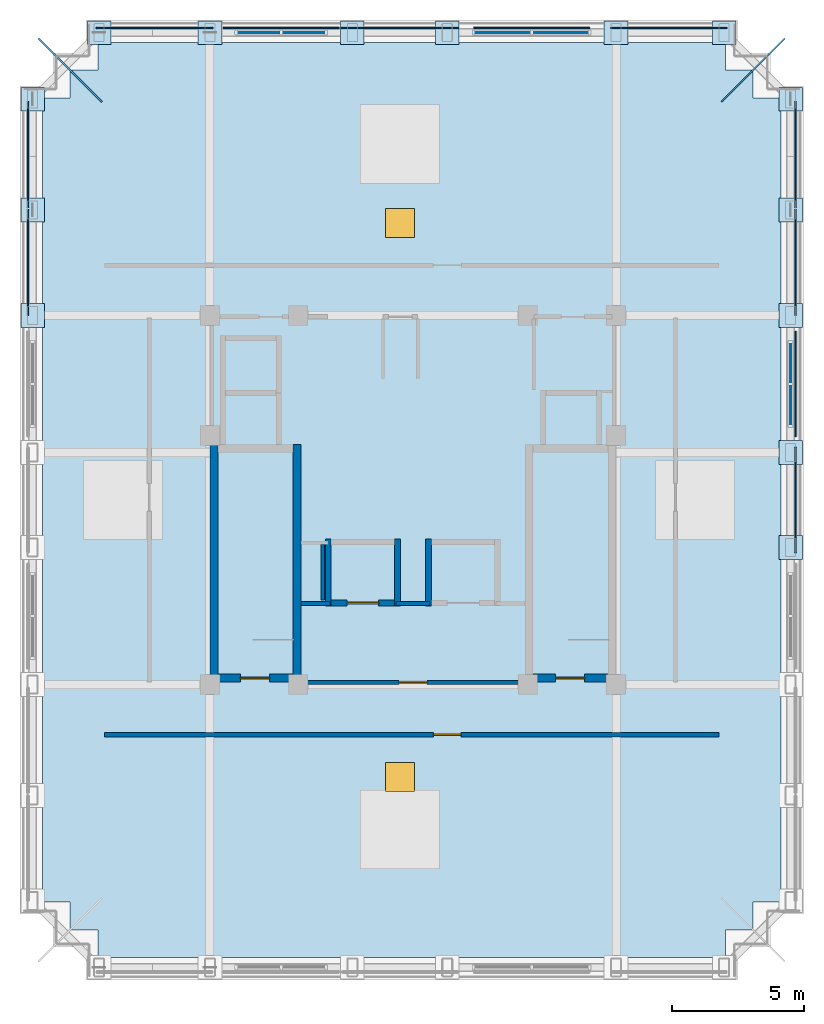
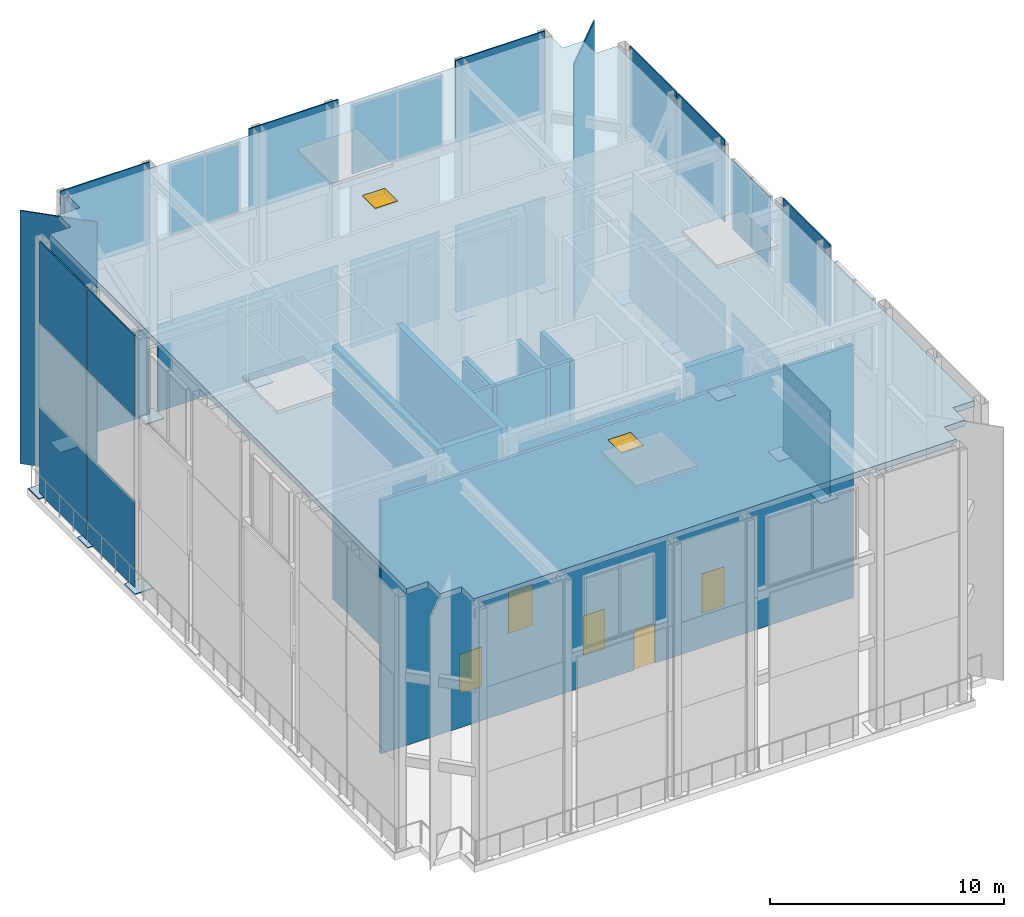
# One storey, part 4 of 7: 41 plates, 13 walls, 7 doors, 1 slab, 7 openings, 3 elements without a shape of their own.
"""IFC4 building model written with IfcOpenShell, lengths in metres."""

from ifc_helpers import new_model, si_unit, derived_unit, direction, frame, frame_2d, origin, origin_2d, place, context, subcontext, project, spatial, polyline, rectangle, outline, extrude, material, layer, layer_set, type_object, element, fill, aggregate, save


model = new_model("IFC4")

# Units and contexts
model_context = context("Model", 3, precision=1e-05, world=origin(), true_north=direction((0.0, 1.0)))
body_context = subcontext(model_context, "Body", "Model", "MODEL_VIEW")
ifc_project = project(units=[si_unit("LENGTHUNIT", "METRE"), si_unit("AREAUNIT", "SQUARE_METRE"), si_unit("VOLUMEUNIT", "CUBIC_METRE"), si_unit("PLANEANGLEUNIT", "RADIAN"), si_unit("MASSUNIT", "GRAM", prefix="KILO"), derived_unit("THERMALTRANSMITTANCEUNIT", [(si_unit("MASSUNIT", "GRAM", prefix="KILO"), 1), (si_unit("TIMEUNIT", "SECOND"), -3), (si_unit("THERMODYNAMICTEMPERATUREUNIT", "KELVIN"), -1)])], contexts=[model_context])

# Site, building, storey
site_placement = place(None, origin())
site = spatial("IfcSite", under=ifc_project, at=site_placement, CompositionType="ELEMENT")
building_placement = place(site_placement, origin())
building = spatial("IfcBuilding", under=site, at=building_placement, Name="Korrvale Station Residences", CompositionType="ELEMENT")
storey_placement = place(building_placement, frame((0.0, 0.0, 261.5)))
storey = spatial("IfcBuildingStorey", under=building, at=storey_placement, Name="L76 Crown", CompositionType="ELEMENT", Elevation=261.5)

# Curtain wall, plates
ifc_material_1 = material(Name="Unitised thermally broken aluminium curtain wall with triple low-e IGU", Category="aluminium")
curtain_wall_type = type_object("IfcCurtainWallType", Name="CW-CRN-RNG", PredefinedType="NOTDEFINED", material=ifc_material_1)
curtain_wall_1_placement = place(storey_placement, origin())
curtain_wall_1 = element("IfcCurtainWall", 1, at=curtain_wall_1_placement, inside=storey, type_object=curtain_wall_type, Name="L76 Crown Curtain Wall CW6-RUN-3", PredefinedType="NOTDEFINED")
ifc_material_2 = material(Name="Triple-glazed low-e argon insulated glass unit", Category="glass")
ifc_layer_1 = layer(ifc_material_2, 0.035888671875, Name="Triple-glazed low-e argon insulated glass unit")
ifc_layer_set_1 = layer_set([ifc_layer_1], Name="Triple-glazed low-e argon insulated glass unit")
plate_type_1 = type_object("IfcPlateType", Name="CW-CRN-RNG-P", PredefinedType="CURTAIN_PANEL", material=ifc_layer_set_1)
plate_1_placement = place(storey_placement, frame((19.625, 39.719970703125, 9.1552734375), z_axis=(0.0, 0.0, 1.0), x_axis=(1.0, 0.0, 0.0)))
plate_1 = element("IfcPlate", 2, at=plate_1_placement, type_object=plate_type_1, Name="CW-CRN-RNG Glazing Panel 1-1", PredefinedType="CURTAIN_PANEL", context=body_context, shape_type="SweptSolid", body=[
    extrude(rectangle(XDim=1.679931640625, YDim=0.035888671875, at=origin_2d()), origin(), (0.0, 0.0, 1.0), 3.639892578125),
])
plate_2_placement = place(storey_placement, frame((21.375, 39.719970703125, 9.1552734375), z_axis=(0.0, 0.0, 1.0), x_axis=(1.0, 0.0, 0.0)))
plate_2 = element("IfcPlate", 3, at=plate_2_placement, type_object=plate_type_1, Name="CW-CRN-RNG Glazing Panel 2-1", PredefinedType="CURTAIN_PANEL", context=body_context, shape_type="SweptSolid", body=[
    extrude(rectangle(XDim=1.679931640625, YDim=0.035888671875, at=origin_2d()), origin(), (0.0, 0.0, 1.0), 3.639892578125),
])
aggregate(curtain_wall_1, [plate_1, plate_2])

curtain_wall_2_placement = place(storey_placement, origin())
curtain_wall_2 = element("IfcCurtainWall", 4, at=curtain_wall_2_placement, inside=storey, type_object=curtain_wall_type, Name="L76 Crown Curtain Wall CW6-RUN-4", PredefinedType="NOTDEFINED")
plate_3_placement = place(storey_placement, frame((28.875, 39.719970703125, 9.1552734375), z_axis=(0.0, 0.0, 1.0), x_axis=(1.0, 0.0, 0.0)))
plate_3 = element("IfcPlate", 5, at=plate_3_placement, type_object=plate_type_1, Name="CW-CRN-RNG Glazing Panel 1-1", PredefinedType="CURTAIN_PANEL", context=body_context, shape_type="SweptSolid", body=[
    extrude(rectangle(XDim=2.179931640625, YDim=0.035888671875, at=origin_2d()), origin(), (0.0, 0.0, 1.0), 3.639892578125),
])
plate_4_placement = place(storey_placement, frame((31.125, 39.719970703125, 9.1552734375), z_axis=(0.0, 0.0, 1.0), x_axis=(1.0, 0.0, 0.0)))
plate_4 = element("IfcPlate", 6, at=plate_4_placement, type_object=plate_type_1, Name="CW-CRN-RNG Glazing Panel 2-1", PredefinedType="CURTAIN_PANEL", context=body_context, shape_type="SweptSolid", body=[
    extrude(rectangle(XDim=2.179931640625, YDim=0.035888671875, at=origin_2d()), origin(), (0.0, 0.0, 1.0), 3.639892578125),
])
aggregate(curtain_wall_2, [plate_3, plate_4])

curtain_wall_3_placement = place(storey_placement, origin())
curtain_wall_3 = element("IfcCurtainWall", 7, at=curtain_wall_3_placement, inside=storey, type_object=curtain_wall_type, Name="L76 Crown Curtain Wall CW6-RUN-8", PredefinedType="NOTDEFINED")
plate_5_placement = place(storey_placement, frame((39.820068359375, 25.574951171875, 9.1552734375), z_axis=(0.0, 0.0, 1.0), x_axis=(0.0, 1.0, 0.0)))
plate_5 = element("IfcPlate", 8, at=plate_5_placement, type_object=plate_type_1, Name="CW-CRN-RNG Glazing Panel 1-1", PredefinedType="CURTAIN_PANEL", context=body_context, shape_type="SweptSolid", body=[
    extrude(rectangle(XDim=1.580078125, YDim=0.035888671875, at=origin_2d()), origin(), (0.0, 0.0, 1.0), 3.639892578125),
])
plate_6_placement = place(storey_placement, frame((39.820068359375, 27.22509765625, 9.1552734375), z_axis=(0.0, 0.0, 1.0), x_axis=(0.0, 1.0, 0.0)))
plate_6 = element("IfcPlate", 9, at=plate_6_placement, type_object=plate_type_1, Name="CW-CRN-RNG Glazing Panel 2-1", PredefinedType="CURTAIN_PANEL", context=body_context, shape_type="SweptSolid", body=[
    extrude(rectangle(XDim=1.580078125, YDim=0.035888671875, at=origin_2d()), origin(), (0.0, 0.0, 1.0), 3.639892578125),
])
aggregate(curtain_wall_3, [plate_5, plate_6])

# Plates
ifc_material_3 = material(Name="Steel S355", Category="steel")
ifc_layer_2 = layer(ifc_material_3, 0.034912109375, Name="Steel S355")
ifc_layer_set_2 = layer_set([ifc_layer_2], Name="Steel S355")
plate_type_2 = type_object("IfcPlateType", Name="PLT-BASE-35", PredefinedType="SHEET", material=ifc_layer_set_2)
for number, where, z_axis, x_axis, name in (
    (10, (13.60009765625, 39.719970703125, 0.0), (0.0, 0.0, 1.0), (1.0, 0.0, 0.0), "Crown Frame Post Base Plate 07"),
    (11, (17.800048828125, 39.719970703125, 0.0), (0.0, 0.0, 1.0), (1.0, 0.0, 0.0), "Crown Frame Post Base Plate 08"),
    (12, (23.199951171875, 39.719970703125, 0.0), (0.0, 0.0, 1.0), (1.0, 0.0, 0.0), "Crown Frame Post Base Plate 09"),
    (13, (26.800048828125, 39.719970703125, 0.0), (0.0, 0.0, 1.0), (1.0, 0.0, 0.0), "Crown Frame Post Base Plate 10"),
    (14, (33.199951171875, 39.719970703125, 0.0), (0.0, 0.0, 1.0), (1.0, 0.0, 0.0), "Crown Frame Post Base Plate 11"),
    (15, (37.300048828125, 39.719970703125, 0.0), (0.0, 0.0, 1.0), (1.0, 0.0, 0.0), "Crown Frame Post Base Plate 12"),
    (16, (11.080078125, 29.0, 0.0), (0.0, 0.0, 1.0), (1.0, 0.0, 0.0), "Crown Frame Post Base Plate 18"),
    (17, (11.080078125, 33.0, 0.0), (0.0, 0.0, 1.0), (1.0, 0.0, 0.0), "Crown Frame Post Base Plate 19"),
    (18, (11.080078125, 37.199951171875, 0.0), (0.0, 0.0, 1.0), (1.0, 0.0, 0.0), "Crown Frame Post Base Plate 20"),
    (19, (39.820068359375, 20.199951171875, 0.0), (0.0, 0.0, 1.0), (1.0, 0.0, 0.0), "Crown Frame Post Base Plate 24"),
    (20, (39.820068359375, 23.800048828125, 0.0), (0.0, 0.0, 1.0), (1.0, 0.0, 0.0), "Crown Frame Post Base Plate 25"),
    (21, (39.820068359375, 29.0, 0.0), (0.0, 0.0, 1.0), (1.0, 0.0, 0.0), "Crown Frame Post Base Plate 26"),
    (22, (39.820068359375, 33.0, 0.0), (0.0, 0.0, 1.0), (1.0, 0.0, 0.0), "Crown Frame Post Base Plate 27"),
    (23, (39.820068359375, 37.199951171875, 0.0), (0.0, 0.0, 1.0), (1.0, 0.0, 0.0), "Crown Frame Post Base Plate 28"),
):
    element("IfcPlate", number, at=place(storey_placement, frame(where, z_axis=z_axis, x_axis=x_axis)), inside=storey, type_object=plate_type_2, Name=name, PredefinedType="SHEET", context=body_context, shape_type="SweptSolid", body=[
        extrude(rectangle(XDim=0.89990234375, YDim=0.89990234375, at=origin_2d()), origin(), (0.0, 0.0, 1.0), 0.034912109375),
    ])
ifc_material_4 = material(Name="Anodised aluminium architectural plate", Category="aluminium")
ifc_layer_3 = layer(ifc_material_4, 0.0400390625, Name="Anodised aluminium architectural plate")
ifc_layer_set_3 = layer_set([ifc_layer_3], Name="Anodised aluminium architectural plate")
plate_type_3 = type_object("IfcPlateType", Name="PLT-CRN-SCR", PredefinedType="SHEET", material=ifc_layer_set_3)
plate_7_placement = place(storey_placement, frame((15.699951171875, 39.89990234375, -0.02001953125), z_axis=(0.0, 0.0, 1.0), x_axis=(1.0, 0.0, 0.0)))
element("IfcPlate", 24, at=plate_7_placement, inside=storey, type_object=plate_type_3, Name="Ring Crown Perforated Aluminium Screen B1-06", PredefinedType="SHEET", context=body_context, shape_type="SweptSolid", body=[
    extrude(rectangle(XDim=4.39990234375, YDim=0.06005859375, at=origin_2d()), origin(), (0.0, 0.0, 1.0), 4.5400390625),
])
plate_8_placement = place(storey_placement, frame((15.699951171875, 39.89990234375, 8.8798828125), z_axis=(0.0, 0.0, 1.0), x_axis=(1.0, 0.0, 0.0)))
element("IfcPlate", 25, at=plate_8_placement, inside=storey, type_object=plate_type_3, Name="Ring Crown Upper Cap Screen B3-06", PredefinedType="SHEET", context=body_context, shape_type="SweptSolid", body=[
    extrude(rectangle(XDim=4.39990234375, YDim=0.06005859375, at=origin_2d()), origin(), (0.0, 0.0, 1.0), 4.280029296875),
])
for number, where, z_axis, x_axis, name in (
    (26, (20.5, 39.89990234375, -0.02001953125), (0.0, 0.0, 1.0), (1.0, 0.0, 0.0), "Ring Crown Perforated Aluminium Screen B1-07"),
    (27, (25.0, 39.89990234375, -0.02001953125), (0.0, 0.0, 1.0), (1.0, 0.0, 0.0), "Ring Crown Perforated Aluminium Screen B1-08"),
):
    element("IfcPlate", number, at=place(storey_placement, frame(where, z_axis=z_axis, x_axis=x_axis)), inside=storey, type_object=plate_type_3, Name=name, PredefinedType="SHEET", context=body_context, shape_type="SweptSolid", body=[
        extrude(rectangle(XDim=4.39990234375, YDim=0.06005859375, at=origin_2d()), origin(), (0.0, 0.0, 1.0), 4.5400390625),
    ])
plate_9_placement = place(storey_placement, frame((25.0, 39.89990234375, 8.8798828125), z_axis=(0.0, 0.0, 1.0), x_axis=(1.0, 0.0, 0.0)))
element("IfcPlate", 28, at=plate_9_placement, inside=storey, type_object=plate_type_3, Name="Ring Crown Upper Cap Screen B3-08", PredefinedType="SHEET", context=body_context, shape_type="SweptSolid", body=[
    extrude(rectangle(XDim=4.39990234375, YDim=0.06005859375, at=origin_2d()), origin(), (0.0, 0.0, 1.0), 4.280029296875),
])
for number, where, z_axis, x_axis, name in (
    (29, (30.0, 39.89990234375, -0.02001953125), (0.0, 0.0, 1.0), (1.0, 0.0, 0.0), "Ring Crown Perforated Aluminium Screen B1-09"),
    (30, (35.199951171875, 39.89990234375, -0.02001953125), (0.0, 0.0, 1.0), (1.0, 0.0, 0.0), "Ring Crown Perforated Aluminium Screen B1-10"),
):
    element("IfcPlate", number, at=place(storey_placement, frame(where, z_axis=z_axis, x_axis=x_axis)), inside=storey, type_object=plate_type_3, Name=name, PredefinedType="SHEET", context=body_context, shape_type="SweptSolid", body=[
        extrude(rectangle(XDim=4.39990234375, YDim=0.06005859375, at=origin_2d()), origin(), (0.0, 0.0, 1.0), 4.5400390625),
    ])
plate_10_placement = place(storey_placement, frame((35.199951171875, 39.89990234375, 8.8798828125), z_axis=(0.0, 0.0, 1.0), x_axis=(1.0, 0.0, 0.0)))
element("IfcPlate", 31, at=plate_10_placement, inside=storey, type_object=plate_type_3, Name="Ring Crown Upper Cap Screen B3-10", PredefinedType="SHEET", context=body_context, shape_type="SweptSolid", body=[
    extrude(rectangle(XDim=4.39990234375, YDim=0.06005859375, at=origin_2d()), origin(), (0.0, 0.0, 1.0), 4.280029296875),
])
plate_11_placement = place(storey_placement, frame((10.89990234375, 31.0, -0.02001953125), z_axis=(0.0, 0.0, 1.0), x_axis=(0.0, 1.0, 0.0)))
element("IfcPlate", 32, at=plate_11_placement, inside=storey, type_object=plate_type_3, Name="Ring Crown Perforated Aluminium Screen B1-16", PredefinedType="SHEET", context=body_context, shape_type="SweptSolid", body=[
    extrude(rectangle(XDim=4.0, YDim=0.06005859375, at=origin_2d()), origin(), (0.0, 0.0, 1.0), 4.5400390625),
])
plate_12_placement = place(storey_placement, frame((10.89990234375, 31.0, 8.8798828125), z_axis=(0.0, 0.0, 1.0), x_axis=(0.0, 1.0, 0.0)))
element("IfcPlate", 33, at=plate_12_placement, inside=storey, type_object=plate_type_3, Name="Ring Crown Upper Cap Screen B3-16", PredefinedType="SHEET", context=body_context, shape_type="SweptSolid", body=[
    extrude(rectangle(XDim=4.0, YDim=0.06005859375, at=origin_2d()), origin(), (0.0, 0.0, 1.0), 4.280029296875),
])
plate_13_placement = place(storey_placement, frame((10.89990234375, 35.10009765625, -0.02001953125), z_axis=(0.0, 0.0, 1.0), x_axis=(0.0, 1.0, 0.0)))
element("IfcPlate", 34, at=plate_13_placement, inside=storey, type_object=plate_type_3, Name="Ring Crown Perforated Aluminium Screen B1-17", PredefinedType="SHEET", context=body_context, shape_type="SweptSolid", body=[
    extrude(rectangle(XDim=4.0, YDim=0.06005859375, at=origin_2d()), origin(), (0.0, 0.0, 1.0), 4.5400390625),
])
plate_14_placement = place(storey_placement, frame((10.89990234375, 35.10009765625, 8.8798828125), z_axis=(0.0, 0.0, 1.0), x_axis=(0.0, 1.0, 0.0)))
element("IfcPlate", 35, at=plate_14_placement, inside=storey, type_object=plate_type_3, Name="Ring Crown Upper Cap Screen B3-17", PredefinedType="SHEET", context=body_context, shape_type="SweptSolid", body=[
    extrude(rectangle(XDim=4.0, YDim=0.06005859375, at=origin_2d()), origin(), (0.0, 0.0, 1.0), 4.280029296875),
])
plate_15_placement = place(storey_placement, frame((40.0, 22.0, -0.02001953125), z_axis=(0.0, 0.0, 1.0), x_axis=(0.0, 1.0, 0.0)))
element("IfcPlate", 36, at=plate_15_placement, inside=storey, type_object=plate_type_3, Name="Ring Crown Perforated Aluminium Screen B1-21", PredefinedType="SHEET", context=body_context, shape_type="SweptSolid", body=[
    extrude(rectangle(XDim=4.0, YDim=0.06005859375, at=origin_2d()), origin(), (0.0, 0.0, 1.0), 4.5400390625),
])
plate_16_placement = place(storey_placement, frame((40.0, 22.0, 8.8798828125), z_axis=(0.0, 0.0, 1.0), x_axis=(0.0, 1.0, 0.0)))
element("IfcPlate", 37, at=plate_16_placement, inside=storey, type_object=plate_type_3, Name="Ring Crown Upper Cap Screen B3-21", PredefinedType="SHEET", context=body_context, shape_type="SweptSolid", body=[
    extrude(rectangle(XDim=4.0, YDim=0.06005859375, at=origin_2d()), origin(), (0.0, 0.0, 1.0), 4.280029296875),
])
for number, where, z_axis, x_axis, name in (
    (38, (40.0, 26.39990234375, -0.02001953125), (0.0, 0.0, 1.0), (0.0, 1.0, 0.0), "Ring Crown Perforated Aluminium Screen B1-22"),
    (39, (40.0, 31.0, -0.02001953125), (0.0, 0.0, 1.0), (0.0, 1.0, 0.0), "Ring Crown Perforated Aluminium Screen B1-23"),
):
    element("IfcPlate", number, at=place(storey_placement, frame(where, z_axis=z_axis, x_axis=x_axis)), inside=storey, type_object=plate_type_3, Name=name, PredefinedType="SHEET", context=body_context, shape_type="SweptSolid", body=[
        extrude(rectangle(XDim=4.0, YDim=0.06005859375, at=origin_2d()), origin(), (0.0, 0.0, 1.0), 4.5400390625),
    ])
plate_17_placement = place(storey_placement, frame((40.0, 31.0, 8.8798828125), z_axis=(0.0, 0.0, 1.0), x_axis=(0.0, 1.0, 0.0)))
element("IfcPlate", 40, at=plate_17_placement, inside=storey, type_object=plate_type_3, Name="Ring Crown Upper Cap Screen B3-23", PredefinedType="SHEET", context=body_context, shape_type="SweptSolid", body=[
    extrude(rectangle(XDim=4.0, YDim=0.06005859375, at=origin_2d()), origin(), (0.0, 0.0, 1.0), 4.280029296875),
])
plate_18_placement = place(storey_placement, frame((40.0, 35.10009765625, -0.02001953125), z_axis=(0.0, 0.0, 1.0), x_axis=(0.0, 1.0, 0.0)))
element("IfcPlate", 41, at=plate_18_placement, inside=storey, type_object=plate_type_3, Name="Ring Crown Perforated Aluminium Screen B1-24", PredefinedType="SHEET", context=body_context, shape_type="SweptSolid", body=[
    extrude(rectangle(XDim=4.0, YDim=0.06005859375, at=origin_2d()), origin(), (0.0, 0.0, 1.0), 4.5400390625),
])
plate_19_placement = place(storey_placement, frame((40.0, 35.10009765625, 8.8798828125), z_axis=(0.0, 0.0, 1.0), x_axis=(0.0, 1.0, 0.0)))
element("IfcPlate", 42, at=plate_19_placement, inside=storey, type_object=plate_type_3, Name="Ring Crown Upper Cap Screen B3-24", PredefinedType="SHEET", context=body_context, shape_type="SweptSolid", body=[
    extrude(rectangle(XDim=4.0, YDim=0.06005859375, at=origin_2d()), origin(), (0.0, 0.0, 1.0), 4.280029296875),
])
for number, where, z_axis, x_axis, name in (
    (43, (38.39990234375, 38.300048828125, -0.02001953125), (0.0, 0.0, 1.0), (0.707106781187, 0.707106781187, 0.0), "Ring Crown Serrated Corner Screen 3"),
    (44, (12.5, 38.300048828125, -0.02001953125), (0.0, 0.0, 1.0), (0.707106781187, -0.707106781187, 0.0), "Ring Crown Serrated Corner Screen 4"),
):
    element("IfcPlate", number, at=place(storey_placement, frame(where, z_axis=z_axis, x_axis=x_axis)), inside=storey, type_object=plate_type_3, Name=name, PredefinedType="SHEET", context=body_context, shape_type="SweptSolid", body=[
        extrude(rectangle(XDim=3.39990234375, YDim=0.06005859375, at=origin_2d()), origin(), (0.0, 0.0, 1.0), 13.199951171875),
    ])

# Slab, openings, doors
ifc_material_5 = material(Name="Concrete C50/60", Category="concrete")
ifc_layer_4 = layer(ifc_material_5, 0.300048828125, Name="Concrete C50/60")
ifc_layer_set_4 = layer_set([ifc_layer_4], Name="Concrete C50/60")
slab_type = type_object("IfcSlabType", Name="SLB-ROOF-300", PredefinedType="ROOF", material=ifc_layer_set_4)
slab_placement = place(storey_placement, frame((0.0, 0.0, 12.949951171875)))
slab = element("IfcSlab", 45, at=slab_placement, inside=storey, type_object=slab_type, Name="Crown Structural Roof Slab", PredefinedType="ROOF", context=body_context, shape_type="SweptSolid", body=[
    extrude(outline(polyline([(13.550048828125, 4.64990234375), (37.35009765625, 4.64990234375), (37.35009765625, 5.699951171875), (38.39990234375, 5.699951171875), (38.39990234375, 6.75), (39.449951171875, 6.75), (39.449951171875, 37.25), (38.39990234375, 37.25), (38.39990234375, 38.300048828125), (37.35009765625, 38.300048828125), (37.35009765625, 39.35009765625), (13.550048828125, 39.35009765625), (13.550048828125, 38.300048828125), (12.5, 38.300048828125), (12.5, 37.25), (11.449951171875, 37.25), (11.449951171875, 6.75), (12.5, 6.75), (12.5, 5.699951171875), (13.550048828125, 5.699951171875), (13.550048828125, 4.64990234375)])), origin(), (0.0, 0.0, 1.0), 0.300048828125),
])
opening_1_placement = place(slab_placement, frame((25.0, 11.5, -0.010009765625)))
opening_1 = element("IfcOpeningElement", 46, at=opening_1_placement, cuts=slab, Name="Opening RH-1", PredefinedType="OPENING", context=body_context, shape_type="SweptSolid", body=[
    extrude(rectangle(XDim=1.10009765625, YDim=1.10009765625, at=origin_2d()), origin(), (0.0, 0.0, 1.0), 0.320068359375),
])
opening_2_placement = place(slab_placement, frame((25.0, 32.5, -0.010009765625)))
opening_2 = element("IfcOpeningElement", 47, at=opening_2_placement, cuts=slab, Name="Opening RH-1", PredefinedType="OPENING", context=body_context, shape_type="SweptSolid", body=[
    extrude(rectangle(XDim=1.10009765625, YDim=1.10009765625, at=origin_2d()), origin(), (0.0, 0.0, 1.0), 0.320068359375),
])
ifc_material_6 = material(Name="Insulated aluminium weather-tight roof access hatch", Category="aluminium")
door_type_1 = type_object("IfcDoorType", Name="DR-ROOF-HATCH", OperationType="SINGLE_SWING_LEFT", PredefinedType="TRAPDOOR", material=ifc_material_6)
door_1_placement = place(slab_placement, frame((25.0, 11.5, 0.25)))
door_1 = element("IfcDoor", 48, at=door_1_placement, inside=storey, type_object=door_type_1, Name="Crown Roof Maintenance Access Hatch 1", OperationType="SINGLE_SWING_LEFT", OverallHeight=1.10009765625, OverallWidth=1.10009765625, PredefinedType="TRAPDOOR", context=body_context, shape_type="SweptSolid", body=[
    extrude(rectangle(XDim=1.10009765625, YDim=1.10009765625, at=origin_2d()), origin(), (0.0, 0.0, 1.0), 0.050048828125),
])
fill(opening_1, door_1)
door_2_placement = place(slab_placement, frame((25.0, 32.5, 0.25)))
door_2 = element("IfcDoor", 49, at=door_2_placement, inside=storey, type_object=door_type_1, Name="Crown Roof Maintenance Access Hatch 2", OperationType="SINGLE_SWING_LEFT", OverallHeight=1.10009765625, OverallWidth=1.10009765625, PredefinedType="TRAPDOOR", context=body_context, shape_type="SweptSolid", body=[
    extrude(rectangle(XDim=1.10009765625, YDim=1.10009765625, at=origin_2d()), origin(), (0.0, 0.0, 1.0), 0.050048828125),
])
fill(opening_2, door_2)

# Walls
ifc_layer_5 = layer(ifc_material_5, 0.300048828125, Name="Concrete C50/60")
ifc_layer_set_5 = layer_set([ifc_layer_5], Name="Concrete C50/60")
wall_type_1 = type_object("IfcWallType", Name="WAL-CORE-300-C50", PredefinedType="SHEAR", material=ifc_layer_set_5)
for number, where, z_axis, x_axis, name in (
    (50, (17.949951171875, 15.10009765625, 0.0), (0.0, 0.0, 1.0), (0.0, 1.0, 0.0), "L76 Crown ST-1 Core Shear Wall West"),
    (51, (21.10009765625, 15.10009765625, 0.0), (0.0, 0.0, 1.0), (0.0, 1.0, 0.0), "L76 Crown ST-1 Core Shear Wall East"),
):
    element("IfcWall", number, at=place(storey_placement, frame(where, z_axis=z_axis, x_axis=x_axis)), inside=storey, type_object=wall_type_1, Name=name, PredefinedType="SHEAR", context=body_context, shape_type="SweptSolid", body=[
        extrude(rectangle(XDim=9.0, YDim=0.300048828125, at=frame_2d((4.5, 0.0))), origin(), (0.0, 0.0, 1.0), 13.199951171875),
    ])

# Wall, opening, door
wall_1_placement = place(storey_placement, frame((18.10009765625, 15.25, 0.0), z_axis=(0.0, 0.0, 1.0), x_axis=(1.0, 0.0, 0.0)))
wall_1 = element("IfcWall", 52, at=wall_1_placement, inside=storey, type_object=wall_type_1, Name="L76 Crown ST-1 Core Shear Wall South", PredefinedType="SHEAR", context=body_context, shape_type="SweptSolid", body=[
    extrude(rectangle(XDim=2.849853515625, YDim=0.300048828125, at=frame_2d((1.4248046875, 0.0))), origin(), (0.0, 0.0, 1.0), 13.199951171875),
])
opening_3_placement = place(wall_1_placement, frame((0.860107421875, 0.0, 0.0)))
opening_3 = element("IfcOpeningElement", 53, at=opening_3_placement, cuts=wall_1, Name="Opening SD-1100", PredefinedType="OPENING", context=body_context, shape_type="SweptSolid", body=[
    extrude(rectangle(XDim=1.10009765625, YDim=2.050048828125, at=frame_2d((0.550048828125, 1.02490234375))), frame((0.0, 0.16015625, 0.0), z_axis=(0.0, -1.0, 0.0), x_axis=(1.0, 0.0, 0.0)), (0.0, 0.0, 1.0), 0.320068359375),
])
ifc_material_7 = material(Name="Hollow-metal fire-rated stair door with closer", Category="steel")
door_type_2 = type_object("IfcDoorType", Name="DR-STAIR-1100", OperationType="NOTDEFINED", PredefinedType="DOOR", material=ifc_material_7)
door_3_placement = place(opening_3_placement, origin())
door_3 = element("IfcDoor", 54, at=door_3_placement, inside=storey, type_object=door_type_2, Name="L76 Crown ST-1 Exit Stair Door", OperationType="SINGLE_SWING_LEFT", OverallHeight=2.050048828125, OverallWidth=1.10009765625, PredefinedType="DOOR", context=body_context, shape_type="SweptSolid", body=[
    extrude(rectangle(XDim=1.10009765625, YDim=2.050048828125, at=frame_2d((0.550048828125, 1.02490234375))), frame((0.0, 0.02490234375, 0.0), z_axis=(0.0, -1.0, 0.0), x_axis=(1.0, 0.0, 0.0)), (0.0, 0.0, 1.0), 0.050048828125),
])
fill(opening_3, door_3)

wall_2_placement = place(storey_placement, frame((30.050048828125, 15.25, 0.0), z_axis=(0.0, 0.0, 1.0), x_axis=(1.0, 0.0, 0.0)))
wall_2 = element("IfcWall", 55, at=wall_2_placement, inside=storey, type_object=wall_type_1, Name="L76 Crown ST-2 Core Shear Wall South", PredefinedType="SHEAR", context=body_context, shape_type="SweptSolid", body=[
    extrude(rectangle(XDim=2.849853515625, YDim=0.300048828125, at=frame_2d((1.4248046875, 0.0))), origin(), (0.0, 0.0, 1.0), 13.199951171875),
])
opening_4_placement = place(wall_2_placement, frame((0.860107421875, 0.0, 0.0)))
opening_4 = element("IfcOpeningElement", 56, at=opening_4_placement, cuts=wall_2, Name="Opening SD-1100", PredefinedType="OPENING", context=body_context, shape_type="SweptSolid", body=[
    extrude(rectangle(XDim=1.10009765625, YDim=2.050048828125, at=frame_2d((0.550048828125, 1.02490234375))), frame((0.0, 0.16015625, 0.0), z_axis=(0.0, -1.0, 0.0), x_axis=(1.0, 0.0, 0.0)), (0.0, 0.0, 1.0), 0.320068359375),
])
door_4_placement = place(opening_4_placement, origin())
door_4 = element("IfcDoor", 57, at=door_4_placement, inside=storey, type_object=door_type_2, Name="L76 Crown ST-2 Exit Stair Door", OperationType="SINGLE_SWING_RIGHT", OverallHeight=2.050048828125, OverallWidth=1.10009765625, PredefinedType="DOOR", context=body_context, shape_type="SweptSolid", body=[
    extrude(rectangle(XDim=1.10009765625, YDim=2.050048828125, at=frame_2d((0.550048828125, 1.02490234375))), frame((0.0, 0.02490234375, 0.0), z_axis=(0.0, -1.0, 0.0), x_axis=(1.0, 0.0, 0.0)), (0.0, 0.0, 1.0), 0.050048828125),
])
fill(opening_4, door_4)

# Wall
ifc_material_8 = material(Name="Acoustic steel-stud gypsum board partition", Category="steel")
ifc_layer_6 = layer(ifc_material_8, 0.1201171875, Name="Acoustic steel-stud gypsum board partition")
ifc_layer_set_6 = layer_set([ifc_layer_6], Name="Acoustic steel-stud gypsum board partition")
wall_type_2 = type_object("IfcWallType", Name="WAL-PART-125", PredefinedType="PARTITIONING", material=ifc_layer_set_6)
wall_3_placement = place(storey_placement, frame((22.080078125, 18.199951171875, 0.0), z_axis=(0.0, 0.0, 1.0), x_axis=(0.0, 1.0, 0.0)))
element("IfcWall", 58, at=wall_3_placement, inside=storey, type_object=wall_type_2, Name="L76 Crown Core Partition CW-RSWT", PredefinedType="PARTITIONING", context=body_context, shape_type="SweptSolid", body=[
    extrude(rectangle(XDim=2.1201171875, YDim=0.1201171875, at=frame_2d((1.06005859375, 0.0))), origin(), (0.0, 0.0, 1.0), 13.199951171875),
])

# Wall, opening, door
ifc_material_9 = material(Name="Fire-rated twin-stud gypsum and mineral wool shaftwall assembly", Category="gypsum")
ifc_layer_7 = layer(ifc_material_9, 0.159912109375, Name="Fire-rated twin-stud gypsum and mineral wool shaftwall assembly")
ifc_layer_set_7 = layer_set([ifc_layer_7], Name="Fire-rated twin-stud gypsum and mineral wool shaftwall assembly")
wall_type_3 = type_object("IfcWallType", Name="WAL-PART-200", PredefinedType="PARTITIONING", material=ifc_layer_set_7)
wall_4_placement = place(storey_placement, frame((21.25, 15.080078125, 0.0), z_axis=(0.0, 0.0, 1.0), x_axis=(1.0, 0.0, 0.0)))
wall_4 = element("IfcWall", 59, at=wall_4_placement, inside=storey, type_object=wall_type_3, Name="L76 Crown Core Partition CW-FFL-S", PredefinedType="PARTITIONING", context=body_context, shape_type="SweptSolid", body=[
    extrude(rectangle(XDim=8.5, YDim=0.159912109375, at=frame_2d((4.25, 0.0))), origin(), (0.0, 0.0, 1.0), 12.319091796875),
])
opening_5_placement = place(wall_4_placement, frame((3.72509765625, 0.0, 0.0)))
opening_5 = element("IfcOpeningElement", 60, at=opening_5_placement, cuts=wall_4, Name="Opening FD-1050", PredefinedType="OPENING", context=body_context, shape_type="SweptSolid", body=[
    extrude(rectangle(XDim=1.050048828125, YDim=2.050048828125, at=frame_2d((0.52490234375, 1.02490234375))), frame((0.0, 0.08984375, 0.0), z_axis=(0.0, -1.0, 0.0), x_axis=(1.0, 0.0, 0.0)), (0.0, 0.0, 1.0), 0.179931640625),
])
ifc_material_10 = material(Name="Fire-rated mineral-core timber lobby door", Category="wood")
door_type_3 = type_object("IfcDoorType", Name="DR-CORE-1050", OperationType="NOTDEFINED", PredefinedType="DOOR", material=ifc_material_10)
door_5_placement = place(opening_5_placement, origin())
door_5 = element("IfcDoor", 61, at=door_5_placement, inside=storey, type_object=door_type_3, Name="L76 Crown Firefighting Lobby Entry Door", OperationType="SINGLE_SWING_LEFT", OverallHeight=2.050048828125, OverallWidth=1.050048828125, PredefinedType="DOOR", context=body_context, shape_type="SweptSolid", body=[
    extrude(rectangle(XDim=1.050048828125, YDim=2.050048828125, at=frame_2d((0.52490234375, 1.02490234375))), frame((0.0, 0.02490234375, 0.0), z_axis=(0.0, -1.0, 0.0), x_axis=(1.0, 0.0, 0.0)), (0.0, 0.0, 1.0), 0.050048828125),
])
fill(opening_5, door_5)

# Walls
wall_5_placement = place(storey_placement, frame((21.25, 18.080078125, 0.0), z_axis=(0.0, 0.0, 1.0), x_axis=(1.0, 0.0, 0.0)))
element("IfcWall", 62, at=wall_5_placement, inside=storey, type_object=wall_type_3, Name="L76 Crown Core Partition CW-FFL-N1", PredefinedType="PARTITIONING", context=body_context, shape_type="SweptSolid", body=[
    extrude(rectangle(XDim=1.10009765625, YDim=0.159912109375, at=frame_2d((0.550048828125, 0.0))), origin(), (0.0, 0.0, 1.0), 13.199951171875),
])
wall_6_placement = place(storey_placement, frame((24.85009765625, 18.080078125, 0.0), z_axis=(0.0, 0.0, 1.0), x_axis=(1.0, 0.0, 0.0)))
element("IfcWall", 63, at=wall_6_placement, inside=storey, type_object=wall_type_3, Name="L76 Crown Core Partition CW-FFL-N2", PredefinedType="PARTITIONING", context=body_context, shape_type="SweptSolid", body=[
    extrude(rectangle(XDim=1.2998046875, YDim=0.159912109375, at=frame_2d((0.64990234375, 0.0))), origin(), (0.0, 0.0, 1.0), 13.199951171875),
])

# Wall, opening, door
wall_7_placement = place(storey_placement, frame((13.800048828125, 13.10009765625, 0.0), z_axis=(0.0, 0.0, 1.0), x_axis=(1.0, 0.0, 0.0)))
wall_7 = element("IfcWall", 64, at=wall_7_placement, inside=storey, type_object=wall_type_3, Name="L76 Crown Interior Partition W-CS", PredefinedType="PARTITIONING", context=body_context, shape_type="SweptSolid", body=[
    extrude(rectangle(XDim=23.300048828125, YDim=0.159912109375, at=frame_2d((11.64990234375, 0.0))), origin(), (0.0, 0.0, 1.0), 13.199951171875),
])
opening_6_placement = place(wall_7_placement, frame((12.47509765625, 0.0, 0.0)))
opening_6 = element("IfcOpeningElement", 65, at=opening_6_placement, cuts=wall_7, Name="Opening FD-1050", PredefinedType="OPENING", context=body_context, shape_type="SweptSolid", body=[
    extrude(rectangle(XDim=1.050048828125, YDim=2.050048828125, at=frame_2d((0.52490234375, 1.02490234375))), frame((0.0, 0.08984375, 0.0), z_axis=(0.0, -1.0, 0.0), x_axis=(1.0, 0.0, 0.0)), (0.0, 0.0, 1.0), 0.179931640625),
])
door_6_placement = place(opening_6_placement, origin())
door_6 = element("IfcDoor", 66, at=door_6_placement, inside=storey, type_object=door_type_3, Name="L76 Crown Boiler Plant Door", OperationType="SINGLE_SWING_LEFT", OverallHeight=2.050048828125, OverallWidth=1.050048828125, PredefinedType="DOOR", context=body_context, shape_type="SweptSolid", body=[
    extrude(rectangle(XDim=1.050048828125, YDim=2.050048828125, at=frame_2d((0.52490234375, 1.02490234375))), frame((0.0, 0.02490234375, 0.0), z_axis=(0.0, -1.0, 0.0), x_axis=(1.0, 0.0, 0.0)), (0.0, 0.0, 1.0), 0.050048828125),
])
fill(opening_6, door_6)

ifc_layer_8 = layer(ifc_material_5, 0.219970703125, Name="Concrete C50/60")
ifc_layer_set_8 = layer_set([ifc_layer_8], Name="Concrete C50/60")
wall_type_4 = type_object("IfcWallType", Name="WAL-SHAFT-220-C50", PredefinedType="SHEAR", material=ifc_layer_set_8)
wall_8_placement = place(storey_placement, frame((22.39990234375, 18.090087890625, 0.0), z_axis=(0.0, 0.0, 1.0), x_axis=(1.0, 0.0, 0.0)))
wall_8 = element("IfcWall", 67, at=wall_8_placement, inside=storey, type_object=wall_type_4, Name="L76 Crown Elevator FFL-1 Hoistway Wall South", PredefinedType="SHEAR", context=body_context, shape_type="SweptSolid", body=[
    extrude(rectangle(XDim=2.400146484375, YDim=0.219970703125, at=frame_2d((1.2001953125, 0.0))), origin(), (0.0, 0.0, 1.0), 13.199951171875),
])
opening_7_placement = place(wall_8_placement, frame((0.60009765625, 0.0, 0.0)))
opening_7 = element("IfcOpeningElement", 68, at=opening_7_placement, cuts=wall_8, Name="Opening LD-FF1200", PredefinedType="OPENING", context=body_context, shape_type="SweptSolid", body=[
    extrude(rectangle(XDim=1.199951171875, YDim=2.14990234375, at=frame_2d((0.60009765625, 1.074951171875))), frame((0.0, 0.1201171875, 0.0), z_axis=(0.0, -1.0, 0.0), x_axis=(1.0, 0.0, 0.0)), (0.0, 0.0, 1.0), 0.239990234375),
])
ifc_material_11 = material(Name="Stainless-steel firefighter elevator landing sliding door", Category="steel")
door_type_4 = type_object("IfcDoorType", Name="DR-LIFT-FF1200", OperationType="SLIDING_TO_LEFT", PredefinedType="DOOR", material=ifc_material_11)
door_7_placement = place(opening_7_placement, origin())
door_7 = element("IfcDoor", 69, at=door_7_placement, inside=storey, type_object=door_type_4, Name="L76 Crown Elevator FFL-1 Sliding Landing Door", OperationType="SLIDING_TO_LEFT", OverallHeight=2.14990234375, OverallWidth=1.199951171875, PredefinedType="DOOR", context=body_context, shape_type="SweptSolid", body=[
    extrude(rectangle(XDim=1.199951171875, YDim=2.14990234375, at=frame_2d((0.60009765625, 1.074951171875))), frame((0.0, 0.02490234375, 0.0), z_axis=(0.0, -1.0, 0.0), x_axis=(1.0, 0.0, 0.0)), (0.0, 0.0, 1.0), 0.050048828125),
])
fill(opening_7, door_7)

# Walls
for number, where, z_axis, x_axis, name in (
    (70, (22.2900390625, 17.97998046875, 0.0), (0.0, 0.0, 1.0), (0.0, 1.0, 0.0), "L76 Crown Elevator FFL-1 Hoistway Wall West"),
    (71, (24.909912109375, 17.97998046875, 0.0), (0.0, 0.0, 1.0), (0.0, 1.0, 0.0), "L76 Crown Elevator FFL-1 Hoistway Wall East"),
    (72, (26.090087890625, 17.97998046875, 0.0), (0.0, 0.0, 1.0), (0.0, 1.0, 0.0), "L76 Crown Elevator FFL-2 Hoistway Wall West"),
):
    element("IfcWall", number, at=place(storey_placement, frame(where, z_axis=z_axis, x_axis=x_axis)), inside=storey, type_object=wall_type_4, Name=name, PredefinedType="SHEAR", context=body_context, shape_type="SweptSolid", body=[
        extrude(rectangle(XDim=2.5400390625, YDim=0.219970703125, at=frame_2d((1.27001953125, 0.0))), origin(), (0.0, 0.0, 1.0), 13.199951171875),
    ])

save(model, "model.ifc")
